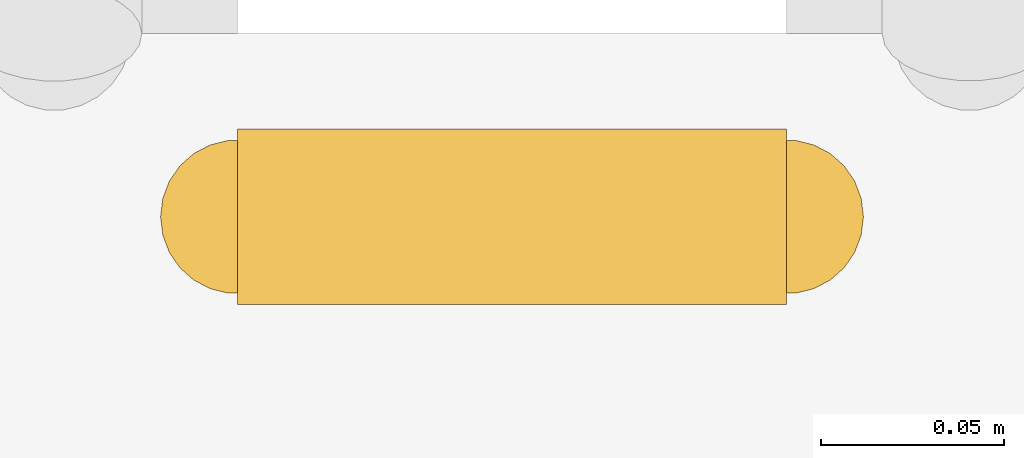
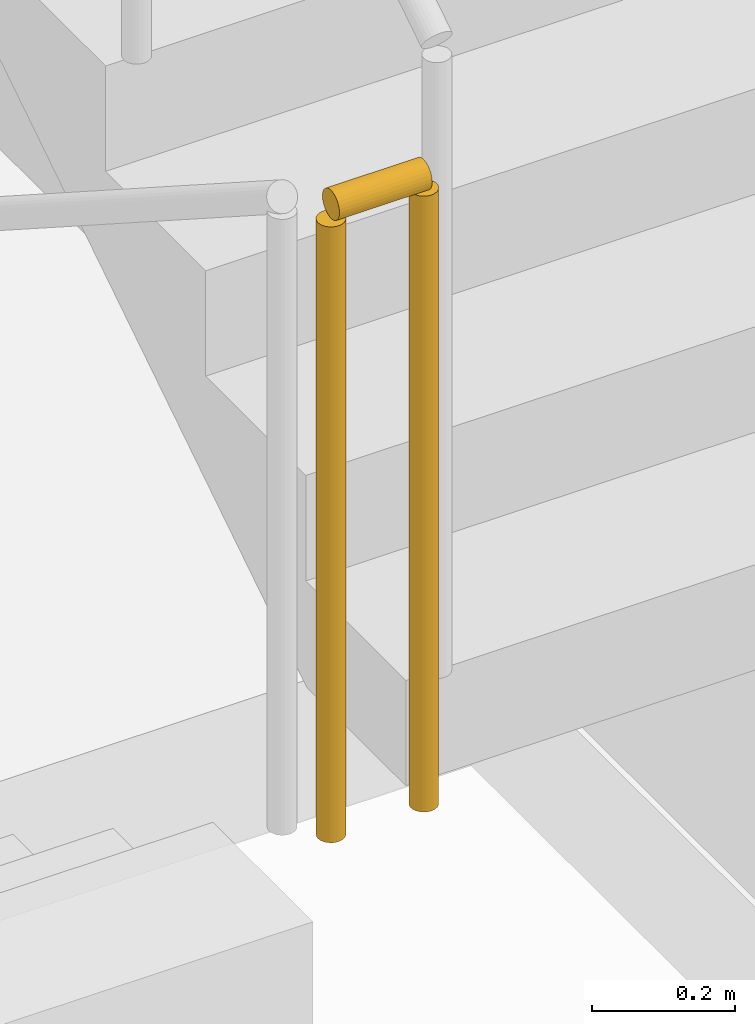
# One storey, part 8 of 13: 1 railing.
"""IFC4 building model written with IfcOpenShell, lengths in metres."""

from ifc_helpers import new_model, si_unit, direction, frame, origin, origin_2d, place, context, subcontext, project, spatial, circle, extrude, material, type_object, element, save


model = new_model("IFC4")

# Units and contexts
model_context = context("Model", 3, precision=1e-05, world=origin(), true_north=direction((0.0, 1.0)))
body_context = subcontext(model_context, "Body", "Model", "MODEL_VIEW")
ifc_project = project(units=[si_unit("LENGTHUNIT", "METRE"), si_unit("AREAUNIT", "SQUARE_METRE"), si_unit("VOLUMEUNIT", "CUBIC_METRE"), si_unit("PLANEANGLEUNIT", "RADIAN"), si_unit("MASSUNIT", "GRAM", prefix="KILO")], contexts=[model_context])

# Site, building, storey
site_placement = place(None, origin())
site = spatial("IfcSite", under=ifc_project, at=site_placement, CompositionType="ELEMENT")
building_placement = place(site_placement, origin())
building = spatial("IfcBuilding", under=site, at=building_placement, Name="Oramaril Tower", CompositionType="ELEMENT")
storey_placement = place(building_placement, frame((0.0, 0.0, 38.10009765625)))
storey = spatial("IfcBuildingStorey", under=building, at=storey_placement, Name="L09", CompositionType="ELEMENT", Elevation=38.10009765625)

# Railing
ifc_material = material(Name="Stainless Steel 316L", Category="steel")
railing_type = type_object("IfcRailingType", Name="RLT-GRD", PredefinedType="GUARDRAIL", material=ifc_material)
railing_placement = place(storey_placement, frame((31.510009765625, 15.02001953125, 1.7998046875)))
element("IfcRailing", 1, at=railing_placement, inside=storey, type_object=railing_type, Name="L09 ST-1 stair guard 2", PredefinedType="GUARDRAIL", context=body_context, shape_type="SweptSolid", body=[
    extrude(circle(Radius=0.02392578125, at=origin_2d()), frame((0.0, 0.0, 1.076171875), z_axis=(1.0, 0.0, 0.0), x_axis=(0.0, 1.0, 0.0)), (0.0, 0.0, 1.0), 0.14990234375),
    extrude(circle(Radius=0.02099609375, at=origin_2d()), origin(), (0.0, 0.0, 1.0), 1.052001953125),
    extrude(circle(Radius=0.02099609375, at=origin_2d()), frame((0.14990234375, 0.0, 0.0)), (0.0, 0.0, 1.0), 1.052001953125),
])

save(model, "model.ifc")
